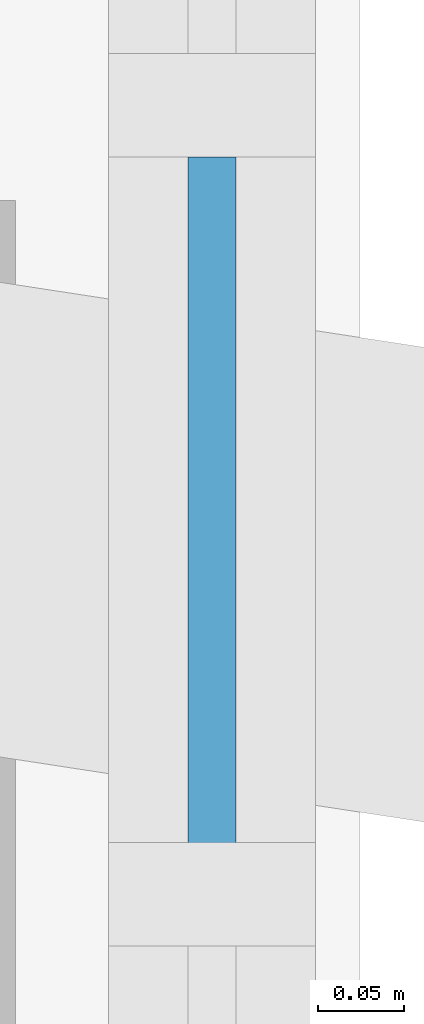
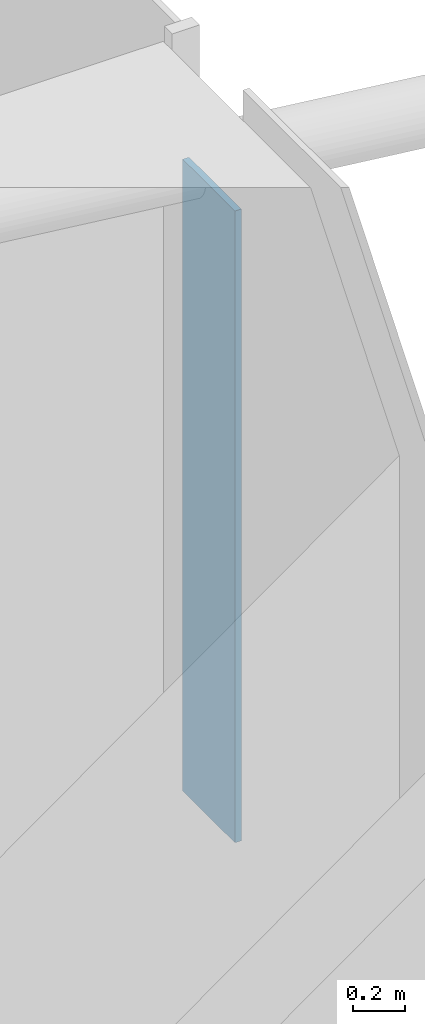
# One storey, part 24 of 38: 1 plate, 1 element without a shape of its own.
"""IFC4 building model written with IfcOpenShell, lengths in metres."""

import ifcopenshell
import ifcopenshell.guid

model = None  # the IFC model being written
_history = None  # IfcOwnerHistory: only IFC2X3 demands one
_inside = {}  # id of a spatial element -> (the spatial element, [elements in it])
_under = {}  # id of a project, library or spatial element -> (it, [spatial elements below it])
_declared = {}  # id of a project -> (the project, [libraries it declares])
_typed = {}  # id of a type object -> (the type object, [elements of that type])
_made_of = {}  # id of a material, layer set ... -> (it, [elements and type objects made of it])


def new_model(schema):
    """Start an empty IFC model of exactly this schema.

    Asked for "IFC4X3", IfcOpenShell would pick the latest addendum, in which some entities
    have other attributes; the version numbers below select the first issue.
    IFC2X3 requires an IfcOwnerHistory on every rooted entity: one is made here for all.
    """
    global model, _history
    if schema == "IFC4X3":
        model = ifcopenshell.file(schema_version=(4, 3, 0, 0))
    else:
        model = ifcopenshell.file(schema=schema)
    _inside.clear()
    _under.clear()
    _declared.clear()
    _typed.clear()
    _made_of.clear()
    _history = None
    if model.schema == "IFC2X3":
        org = make("IfcOrganization", Name="unknown")
        user = make(
            "IfcPersonAndOrganization",
            ThePerson=make("IfcPerson", FamilyName="unknown"),
            TheOrganization=org,
        )
        app = make(
            "IfcApplication",
            ApplicationDeveloper=org,
            Version="unknown",
            ApplicationFullName="unknown",
            ApplicationIdentifier="unknown",
        )
        _history = make(
            "IfcOwnerHistory",
            OwningUser=user,
            OwningApplication=app,
            ChangeAction="ADDED",
            CreationDate=0,
        )
    return model


def make(cls, **values):
    """One entity of the class cls with the attributes given. An attribute that is None is left unset."""
    return model.create_entity(
        cls, **{name: value for name, value in values.items() if value is not None}
    )


def rooted(cls, **values):
    """An entity with a GlobalId (a new one), such as an element, a storey or a relation."""
    return make(cls, GlobalId=ifcopenshell.guid.new(), OwnerHistory=_history, **values)


def si_unit(unit_type, name, prefix=None):
    """IfcSIUnit, for example si_unit("LENGTHUNIT", "METRE", prefix="MILLI")."""
    return make("IfcSIUnit", UnitType=unit_type, Prefix=prefix, Name=name)


def assignment(units):
    """IfcUnitAssignment: the units of a project."""
    return None if units is None else make("IfcUnitAssignment", Units=units)


def point(xyz):
    """IfcCartesianPoint."""
    return None if xyz is None else make("IfcCartesianPoint", Coordinates=xyz)


def direction(xyz):
    """IfcDirection."""
    return None if xyz is None else make("IfcDirection", DirectionRatios=xyz)


def frame(location, z_axis=None, x_axis=None):
    """IfcAxis2Placement3D, a coordinate frame: its origin and axes. An axis left out is left unset."""
    return make(
        "IfcAxis2Placement3D",
        Location=point(location),
        Axis=direction(z_axis),
        RefDirection=direction(x_axis),
    )


def frame_2d(location, x_axis=None):
    """IfcAxis2Placement2D, a coordinate frame in the plane: its origin and x axis."""
    return make(
        "IfcAxis2Placement2D", Location=point(location), RefDirection=direction(x_axis)
    )


def origin():
    """The frame at (0, 0, 0) with its axes left unset."""
    return frame((0.0, 0.0, 0.0))


def origin_2d():
    """The frame at (0, 0) in the plane with its x axis left unset."""
    return frame_2d((0.0, 0.0))


def place(relative_to, where):
    """IfcLocalPlacement: puts the frame where relative to a parent placement (None: the world)."""
    return make(
        "IfcLocalPlacement", PlacementRelTo=relative_to, RelativePlacement=where
    )


def context(
    kind, dimensions, precision=None, world=None, true_north=None, identifier=None
):
    """IfcGeometricRepresentationContext, for example the 3D "Model" context."""
    return make(
        "IfcGeometricRepresentationContext",
        ContextIdentifier=identifier,
        ContextType=kind,
        CoordinateSpaceDimension=dimensions,
        Precision=precision,
        WorldCoordinateSystem=world,
        TrueNorth=true_north,
    )


def subcontext(parent, identifier, kind, view, scale=None):
    """IfcGeometricRepresentationSubContext, for example "Body" below "Model"."""
    return make(
        "IfcGeometricRepresentationSubContext",
        ContextIdentifier=identifier,
        ContextType=kind,
        ParentContext=parent,
        TargetScale=scale,
        TargetView=view,
    )


def project(units=None, contexts=None):
    """IfcProject with its units and contexts."""
    return rooted(
        "IfcProject",
        Name="project",
        RepresentationContexts=contexts,
        UnitsInContext=assignment(units),
    )


def spatial(cls, under=None, at=None, **own):
    """A site, building, storey or space (cls), placed at a placement, below another one or the project."""
    s = rooted(cls, ObjectPlacement=at, **own)
    if under is not None:
        _under.setdefault(under.id(), (under, []))[1].append(s)
    return s


def profile(cls, at=None, kind="AREA", **sizes):
    """A parametric profile (cls). Its sizes go by their IFC names, for example OverallWidth=200.0."""
    return make(cls, ProfileType=kind, Position=at, **sizes)


def rectangle(**sizes):
    """IfcRectangleProfileDef."""
    return profile("IfcRectangleProfileDef", **sizes)


def extrude(swept, where, along, depth):
    """IfcExtrudedAreaSolid: the profile swept, set in the frame where, extruded along a direction by depth."""
    return make(
        "IfcExtrudedAreaSolid",
        SweptArea=swept,
        Position=where,
        ExtrudedDirection=direction(along),
        Depth=depth,
    )


def shape(context_of_items, identifier, shape_type, items):
    """IfcShapeRepresentation: the items that make up one representation, for example the "Body"."""
    return make(
        "IfcShapeRepresentation",
        ContextOfItems=context_of_items,
        RepresentationIdentifier=identifier,
        RepresentationType=shape_type,
        Items=items,
    )


def material(Name=None, Category=None):
    """IfcMaterial."""
    return make("IfcMaterial", Name=Name, Category=Category)


def layer(
    of_material, thickness, ventilated=None, Name=None, Category=None, Priority=None
):
    """IfcMaterialLayer: one layer of a wall or slab, of a material (None: an air gap)."""
    return make(
        "IfcMaterialLayer",
        Material=of_material,
        LayerThickness=thickness,
        IsVentilated=ventilated,
        Name=Name,
        Category=Category,
        Priority=Priority,
    )


def layer_set(layers, Name=None):
    """IfcMaterialLayerSet."""
    return make("IfcMaterialLayerSet", MaterialLayers=layers, LayerSetName=Name)


def made_of(thing, what):
    """Note that an element or type object is made of a material, layer set ...; save() writes the relation."""
    if what is not None:
        _made_of.setdefault(what.id(), (what, []))[1].append(thing)
    return thing


def type_object(cls, material=None, **own):
    """A type object (cls), such as IfcWallType, which elements share."""
    return made_of(rooted(cls, **own), material)


def element(
    cls,
    number,
    at=None,
    inside=None,
    cuts=None,
    type_object=None,
    material=None,
    context=None,
    identifier="Body",
    shape_type=None,
    held_by="IfcProductDefinitionShape",
    body=None,
    shapes=None,
    **own,
):
    """One element of the class cls, such as IfcWall. Its Tag is "e" and its number.

    at: its placement. inside: the storey or other place that contains it. cuts: it is an
    opening in that element (IfcRelVoidsElement). A single representation is given by context,
    identifier, shape_type and body (its items); several are given by shapes. held_by: the class
    of the entity that holds the representations. save() writes the other relations.
    """
    e = rooted(cls, Tag="e%d" % number, ObjectPlacement=at, **own)
    if body is not None:
        shapes = [shape(context, identifier, shape_type, body)]
    if shapes is not None:
        e.Representation = make(held_by, Representations=shapes)
    if inside is not None:
        _inside.setdefault(inside.id(), (inside, []))[1].append(e)
    if cuts is not None:
        rooted(
            "IfcRelVoidsElement", RelatingBuildingElement=cuts, RelatedOpeningElement=e
        )
    if type_object is not None:
        _typed.setdefault(type_object.id(), (type_object, []))[1].append(e)
    return made_of(e, material)


def aggregate(whole, parts):
    """IfcRelAggregates: a whole, such as a stair, and the parts it consists of."""
    return rooted("IfcRelAggregates", RelatingObject=whole, RelatedObjects=parts)


def save(model, path):
    """Write the relations noted so far, then the file.

    IfcRelAggregates (storeys below a building ...), IfcRelContainedInSpatialStructure (elements
    in a storey), IfcRelDefinesByType, IfcRelAssociatesMaterial and IfcRelDeclares: one each for
    every whole, place, type object, material and project.
    """
    for whole, parts in _under.values():
        aggregate(whole, parts)
    for where, things in _inside.values():
        rooted(
            "IfcRelContainedInSpatialStructure",
            RelatedElements=things,
            RelatingStructure=where,
        )
    for kind, things in _typed.values():
        rooted("IfcRelDefinesByType", RelatedObjects=things, RelatingType=kind)
    for what, things in _made_of.values():
        rooted("IfcRelAssociatesMaterial", RelatedObjects=things, RelatingMaterial=what)
    for by, libraries in _declared.values():
        rooted("IfcRelDeclares", RelatingContext=by, RelatedDefinitions=libraries)
    model.write(path)


model = new_model("IFC4")

# Units and contexts
model_context = context("Model", 3, precision=1e-05, world=origin(), true_north=direction((0.0, 1.0)))
body_context = subcontext(model_context, "Body", "Model", "MODEL_VIEW")
ifc_project = project(units=[si_unit("LENGTHUNIT", "METRE"), si_unit("AREAUNIT", "SQUARE_METRE"), si_unit("VOLUMEUNIT", "CUBIC_METRE"), si_unit("PLANEANGLEUNIT", "RADIAN"), si_unit("MASSUNIT", "GRAM", prefix="KILO")], contexts=[model_context])

# Site, building, storey
site_placement = place(None, origin())
site = spatial("IfcSite", under=ifc_project, at=site_placement, CompositionType="ELEMENT")
building_placement = place(site_placement, origin())
building = spatial("IfcBuilding", under=site, at=building_placement, Name="Marenta Gate Hotel Tower", CompositionType="ELEMENT")
storey_placement = place(building_placement, frame((0.0, 0.0, 68.89990234375)))
storey = spatial("IfcBuildingStorey", under=building, at=storey_placement, Name="L15", CompositionType="ELEMENT", Elevation=68.89990234375)

# Curtain wall, plate
ifc_material_1 = material(Name="Tinted insulated glass in bronze anodised frame", Category="glass")
ifc_layer_1 = layer(ifc_material_1, 0.1201171875)
ifc_layer_set_1 = layer_set([ifc_layer_1], Name="Tinted insulated glass in bronze anodised frame")
curtain_wall_type = type_object("IfcCurtainWallType", Name="Tower unitised curtain wall CW1", PredefinedType="NOTDEFINED", material=ifc_layer_set_1)
curtain_wall_placement = place(storey_placement, origin())
curtain_wall = element("IfcCurtainWall", 1, at=curtain_wall_placement, inside=storey, type_object=curtain_wall_type, Name="CW1 run G33", PredefinedType="NOTDEFINED")
ifc_material_2 = material(Name="Tinted insulated glass", Category="glass")
ifc_layer_2 = layer(ifc_material_2, 0.028076171875)
ifc_layer_set_2 = layer_set([ifc_layer_2], Name="Tinted insulated glass")
plate_type = type_object("IfcPlateType", Name="Glass panel CW1 28 mm tinted insulated unit", PredefinedType="CURTAIN_PANEL", material=ifc_layer_set_2)
plate_placement = place(storey_placement, frame((29.4140625, 10.776123046875, 0.060302734375), z_axis=(0.0, 0.0, 1.0), x_axis=(0.0, 1.0, 0.0)))
plate = element("IfcPlate", 2, at=plate_placement, type_object=plate_type, Name="CW1 panel 1.1", PredefinedType="CURTAIN_PANEL", context=body_context, shape_type="SweptSolid", body=[
    extrude(rectangle(XDim=0.398193359375, YDim=0.028076171875, at=origin_2d()), origin(), (0.0, 0.0, 1.0), 2.9404296875),
])
aggregate(curtain_wall, [plate])

save(model, "model.ifc")
